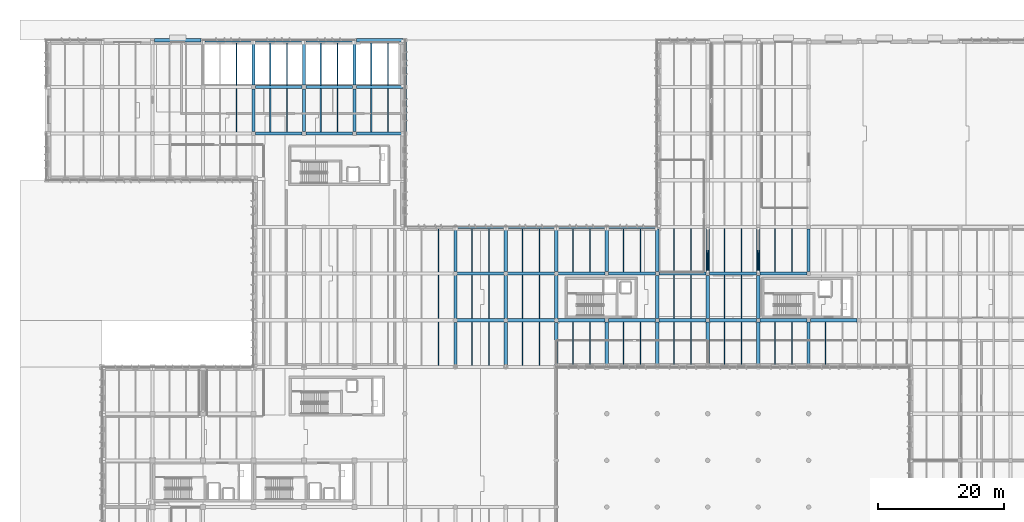
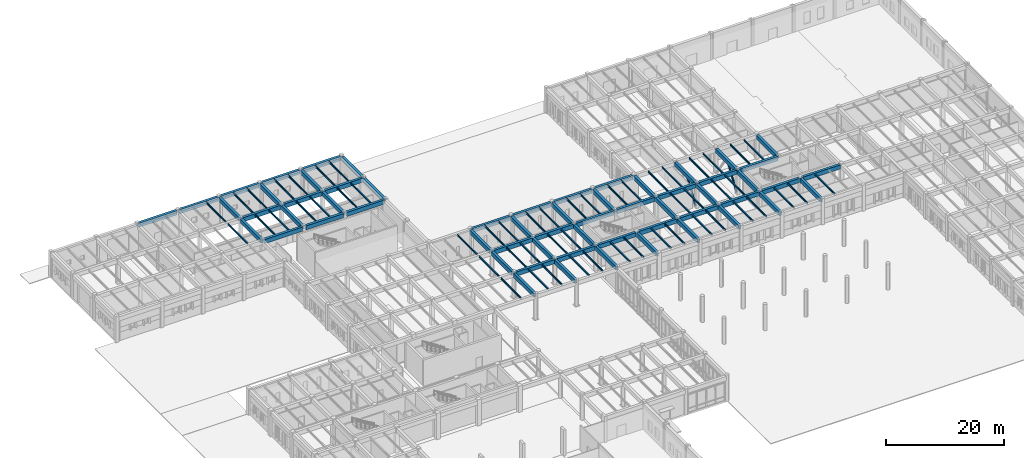
# One storey, part 8 of 56: 114 beams, 2 members.
"""IFC4 building model written with IfcOpenShell, lengths in metres."""

import ifcopenshell
import ifcopenshell.guid

model = None  # the IFC model being written
_history = None  # IfcOwnerHistory: only IFC2X3 demands one
_inside = {}  # id of a spatial element -> (the spatial element, [elements in it])
_under = {}  # id of a project, library or spatial element -> (it, [spatial elements below it])
_declared = {}  # id of a project -> (the project, [libraries it declares])
_typed = {}  # id of a type object -> (the type object, [elements of that type])
_made_of = {}  # id of a material, layer set ... -> (it, [elements and type objects made of it])


def new_model(schema):
    """Start an empty IFC model of exactly this schema.

    Asked for "IFC4X3", IfcOpenShell would pick the latest addendum, in which some entities
    have other attributes; the version numbers below select the first issue.
    IFC2X3 requires an IfcOwnerHistory on every rooted entity: one is made here for all.
    """
    global model, _history
    if schema == "IFC4X3":
        model = ifcopenshell.file(schema_version=(4, 3, 0, 0))
    else:
        model = ifcopenshell.file(schema=schema)
    _inside.clear()
    _under.clear()
    _declared.clear()
    _typed.clear()
    _made_of.clear()
    _history = None
    if model.schema == "IFC2X3":
        org = make("IfcOrganization", Name="unknown")
        user = make(
            "IfcPersonAndOrganization",
            ThePerson=make("IfcPerson", FamilyName="unknown"),
            TheOrganization=org,
        )
        app = make(
            "IfcApplication",
            ApplicationDeveloper=org,
            Version="unknown",
            ApplicationFullName="unknown",
            ApplicationIdentifier="unknown",
        )
        _history = make(
            "IfcOwnerHistory",
            OwningUser=user,
            OwningApplication=app,
            ChangeAction="ADDED",
            CreationDate=0,
        )
    return model


def make(cls, **values):
    """One entity of the class cls with the attributes given. An attribute that is None is left unset."""
    return model.create_entity(
        cls, **{name: value for name, value in values.items() if value is not None}
    )


def rooted(cls, **values):
    """An entity with a GlobalId (a new one), such as an element, a storey or a relation."""
    return make(cls, GlobalId=ifcopenshell.guid.new(), OwnerHistory=_history, **values)


def si_unit(unit_type, name, prefix=None):
    """IfcSIUnit, for example si_unit("LENGTHUNIT", "METRE", prefix="MILLI")."""
    return make("IfcSIUnit", UnitType=unit_type, Prefix=prefix, Name=name)


def assignment(units):
    """IfcUnitAssignment: the units of a project."""
    return None if units is None else make("IfcUnitAssignment", Units=units)


def point(xyz):
    """IfcCartesianPoint."""
    return None if xyz is None else make("IfcCartesianPoint", Coordinates=xyz)


def direction(xyz):
    """IfcDirection."""
    return None if xyz is None else make("IfcDirection", DirectionRatios=xyz)


def frame(location, z_axis=None, x_axis=None):
    """IfcAxis2Placement3D, a coordinate frame: its origin and axes. An axis left out is left unset."""
    return make(
        "IfcAxis2Placement3D",
        Location=point(location),
        Axis=direction(z_axis),
        RefDirection=direction(x_axis),
    )


def frame_2d(location, x_axis=None):
    """IfcAxis2Placement2D, a coordinate frame in the plane: its origin and x axis."""
    return make(
        "IfcAxis2Placement2D", Location=point(location), RefDirection=direction(x_axis)
    )


def origin():
    """The frame at (0, 0, 0) with its axes left unset."""
    return frame((0.0, 0.0, 0.0))


def origin_2d():
    """The frame at (0, 0) in the plane with its x axis left unset."""
    return frame_2d((0.0, 0.0))


def place(relative_to, where):
    """IfcLocalPlacement: puts the frame where relative to a parent placement (None: the world)."""
    return make(
        "IfcLocalPlacement", PlacementRelTo=relative_to, RelativePlacement=where
    )


def context(
    kind, dimensions, precision=None, world=None, true_north=None, identifier=None
):
    """IfcGeometricRepresentationContext, for example the 3D "Model" context."""
    return make(
        "IfcGeometricRepresentationContext",
        ContextIdentifier=identifier,
        ContextType=kind,
        CoordinateSpaceDimension=dimensions,
        Precision=precision,
        WorldCoordinateSystem=world,
        TrueNorth=true_north,
    )


def subcontext(parent, identifier, kind, view, scale=None):
    """IfcGeometricRepresentationSubContext, for example "Body" below "Model"."""
    return make(
        "IfcGeometricRepresentationSubContext",
        ContextIdentifier=identifier,
        ContextType=kind,
        ParentContext=parent,
        TargetScale=scale,
        TargetView=view,
    )


def project(units=None, contexts=None):
    """IfcProject with its units and contexts."""
    return rooted(
        "IfcProject",
        Name="project",
        RepresentationContexts=contexts,
        UnitsInContext=assignment(units),
    )


def spatial(cls, under=None, at=None, **own):
    """A site, building, storey or space (cls), placed at a placement, below another one or the project."""
    s = rooted(cls, ObjectPlacement=at, **own)
    if under is not None:
        _under.setdefault(under.id(), (under, []))[1].append(s)
    return s


def profile(cls, at=None, kind="AREA", **sizes):
    """A parametric profile (cls). Its sizes go by their IFC names, for example OverallWidth=200.0."""
    return make(cls, ProfileType=kind, Position=at, **sizes)


def rectangle(**sizes):
    """IfcRectangleProfileDef."""
    return profile("IfcRectangleProfileDef", **sizes)


def hollow_circle(**sizes):
    """IfcCircleHollowProfileDef."""
    return profile("IfcCircleHollowProfileDef", **sizes)


def i_section(**sizes):
    """IfcIShapeProfileDef."""
    return profile("IfcIShapeProfileDef", **sizes)


def extrude(swept, where, along, depth):
    """IfcExtrudedAreaSolid: the profile swept, set in the frame where, extruded along a direction by depth."""
    return make(
        "IfcExtrudedAreaSolid",
        SweptArea=swept,
        Position=where,
        ExtrudedDirection=direction(along),
        Depth=depth,
    )


def shape(context_of_items, identifier, shape_type, items):
    """IfcShapeRepresentation: the items that make up one representation, for example the "Body"."""
    return make(
        "IfcShapeRepresentation",
        ContextOfItems=context_of_items,
        RepresentationIdentifier=identifier,
        RepresentationType=shape_type,
        Items=items,
    )


def material(Name=None, Category=None):
    """IfcMaterial."""
    return make("IfcMaterial", Name=Name, Category=Category)


def material_profile(
    of_material, cross_section, Name=None, Category=None, Priority=None
):
    """IfcMaterialProfile: a cross section and its material."""
    return make(
        "IfcMaterialProfile",
        Name=Name,
        Material=of_material,
        Profile=cross_section,
        Priority=Priority,
        Category=Category,
    )


def profile_set(profiles, Name=None, composite=None):
    """IfcMaterialProfileSet."""
    return make(
        "IfcMaterialProfileSet",
        Name=Name,
        MaterialProfiles=profiles,
        CompositeProfile=composite,
    )


def made_of(thing, what):
    """Note that an element or type object is made of a material, layer set ...; save() writes the relation."""
    if what is not None:
        _made_of.setdefault(what.id(), (what, []))[1].append(thing)
    return thing


def type_object(cls, material=None, **own):
    """A type object (cls), such as IfcWallType, which elements share."""
    return made_of(rooted(cls, **own), material)


def element(
    cls,
    number,
    at=None,
    inside=None,
    cuts=None,
    type_object=None,
    material=None,
    context=None,
    identifier="Body",
    shape_type=None,
    held_by="IfcProductDefinitionShape",
    body=None,
    shapes=None,
    **own,
):
    """One element of the class cls, such as IfcWall. Its Tag is "e" and its number.

    at: its placement. inside: the storey or other place that contains it. cuts: it is an
    opening in that element (IfcRelVoidsElement). A single representation is given by context,
    identifier, shape_type and body (its items); several are given by shapes. held_by: the class
    of the entity that holds the representations. save() writes the other relations.
    """
    e = rooted(cls, Tag="e%d" % number, ObjectPlacement=at, **own)
    if body is not None:
        shapes = [shape(context, identifier, shape_type, body)]
    if shapes is not None:
        e.Representation = make(held_by, Representations=shapes)
    if inside is not None:
        _inside.setdefault(inside.id(), (inside, []))[1].append(e)
    if cuts is not None:
        rooted(
            "IfcRelVoidsElement", RelatingBuildingElement=cuts, RelatedOpeningElement=e
        )
    if type_object is not None:
        _typed.setdefault(type_object.id(), (type_object, []))[1].append(e)
    return made_of(e, material)


def aggregate(whole, parts):
    """IfcRelAggregates: a whole, such as a stair, and the parts it consists of."""
    return rooted("IfcRelAggregates", RelatingObject=whole, RelatedObjects=parts)


def save(model, path):
    """Write the relations noted so far, then the file.

    IfcRelAggregates (storeys below a building ...), IfcRelContainedInSpatialStructure (elements
    in a storey), IfcRelDefinesByType, IfcRelAssociatesMaterial and IfcRelDeclares: one each for
    every whole, place, type object, material and project.
    """
    for whole, parts in _under.values():
        aggregate(whole, parts)
    for where, things in _inside.values():
        rooted(
            "IfcRelContainedInSpatialStructure",
            RelatedElements=things,
            RelatingStructure=where,
        )
    for kind, things in _typed.values():
        rooted("IfcRelDefinesByType", RelatedObjects=things, RelatingType=kind)
    for what, things in _made_of.values():
        rooted("IfcRelAssociatesMaterial", RelatedObjects=things, RelatingMaterial=what)
    for by, libraries in _declared.values():
        rooted("IfcRelDeclares", RelatingContext=by, RelatedDefinitions=libraries)
    model.write(path)


model = new_model("IFC4")

# Units and contexts
model_context = context("Model", 3, precision=1e-05, world=origin(), true_north=direction((0.0, 1.0)))
body_context = subcontext(model_context, "Body", "Model", "MODEL_VIEW")
ifc_project = project(units=[si_unit("LENGTHUNIT", "METRE"), si_unit("AREAUNIT", "SQUARE_METRE"), si_unit("VOLUMEUNIT", "CUBIC_METRE"), si_unit("PLANEANGLEUNIT", "RADIAN"), si_unit("MASSUNIT", "GRAM", prefix="KILO")], contexts=[model_context])

# Site, building, storey
site_placement = place(None, origin())
site = spatial("IfcSite", under=ifc_project, at=site_placement, CompositionType="ELEMENT")
building_placement = place(site_placement, origin())
building = spatial("IfcBuilding", under=site, at=building_placement, Name="Valkorina Park Police Headquarters", CompositionType="ELEMENT")
storey_placement = place(building_placement, origin())
storey = spatial("IfcBuildingStorey", under=building, at=storey_placement, Name="L01", CompositionType="ELEMENT", Elevation=0.0)

# Beams
ifc_material_1 = material(Name="Concrete C40/50", Category="concrete")
ifc_material_profile_1 = material_profile(ifc_material_1, rectangle(XDim=0.5, YDim=0.85009765625, at=origin_2d()), Name="RC BEAM 500x850")
ifc_profile_set_1 = profile_set([ifc_material_profile_1], Name="Concrete C40/50")
beam_type_1 = type_object("IfcBeamType", Name="BM-RC-500x850-EXT", PredefinedType="SPANDREL", material=ifc_profile_set_1)
for number, where, z_axis, x_axis, name in (
    (1, (65.044921875, 81.39990234375, 4.715087890625), (1.0, 0.0, 0.0), (0.0, 1.0, 0.0), "L01 Framing Beam 0818"),
    (2, (73.044921875, 81.39990234375, 4.715087890625), (1.0, 0.0, 0.0), (0.0, 1.0, 0.0), "L01 Framing Beam 0819"),
):
    element("IfcBeam", number, at=place(storey_placement, frame(where, z_axis=z_axis, x_axis=x_axis)), inside=storey, type_object=beam_type_1, Name=name, PredefinedType="SPANDREL", context=body_context, shape_type="SweptSolid", body=[
        extrude(rectangle(XDim=0.5, YDim=0.85009765625, at=origin_2d()), origin(), (0.0, 0.0, 1.0), 7.51025390625),
    ])
beam_1_placement = place(storey_placement, frame((81.044921875, 81.39990234375, 4.715087890625), z_axis=(1.0, 0.0, 0.0), x_axis=(0.0, 1.0, 0.0)))
element("IfcBeam", 3, at=beam_1_placement, inside=storey, type_object=beam_type_1, Name="L01 Framing Beam 0820", PredefinedType="SPANDREL", context=body_context, shape_type="SweptSolid", body=[
    extrude(rectangle(XDim=0.5, YDim=0.85009765625, at=origin_2d()), origin(), (0.0, 0.0, 1.0), 7.455078125),
])
for number, where, z_axis, x_axis, name in (
    (4, (89.10009765625, 81.39990234375, 4.715087890625), (1.0, 0.0, 0.0), (0.0, 1.0, 0.0), "L01 Framing Beam 0821"),
    (5, (17.10009765625, 111.0, 4.715087890625), (1.0, 0.0, 0.0), (0.0, 1.0, 0.0), "L01 Framing Beam 0859"),
    (6, (25.10009765625, 111.0, 4.715087890625), (1.0, 0.0, 0.0), (0.0, 1.0, 0.0), "L01 Framing Beam 0860"),
    (7, (33.10009765625, 111.0, 4.715087890625), (1.0, 0.0, 0.0), (0.0, 1.0, 0.0), "L01 Framing Beam 0861"),
    (8, (41.10009765625, 111.0, 4.715087890625), (1.0, 0.0, 0.0), (0.0, 1.0, 0.0), "L01 Framing Beam 0862"),
    (9, (49.10009765625, 111.0, 4.715087890625), (1.0, 0.0, 0.0), (0.0, 1.0, 0.0), "L01 Framing Beam 0863"),
):
    element("IfcBeam", number, at=place(storey_placement, frame(where, z_axis=z_axis, x_axis=x_axis)), inside=storey, type_object=beam_type_1, Name=name, PredefinedType="SPANDREL", context=body_context, shape_type="SweptSolid", body=[
        extrude(rectangle(XDim=0.5, YDim=0.85009765625, at=origin_2d()), origin(), (0.0, 0.0, 1.0), 7.39990234375),
    ])
for number, where, z_axis, x_axis, name in (
    (10, (56.800048828125, 96.5, 4.715087890625), (0.0, 1.0, 0.0), (-1.0, 0.0, 0.0), "L01 Framing Beam 1042"),
    (11, (56.800048828125, 103.89990234375, 4.715087890625), (0.0, 1.0, 0.0), (-1.0, 0.0, 0.0), "L01 Framing Beam 1043"),
):
    element("IfcBeam", number, at=place(storey_placement, frame(where, z_axis=z_axis, x_axis=x_axis)), inside=storey, type_object=beam_type_1, Name=name, PredefinedType="SPANDREL", context=body_context, shape_type="SweptSolid", body=[
        extrude(rectangle(XDim=0.5, YDim=0.85009765625, at=origin_2d()), origin(), (0.0, 0.0, 1.0), 6.800048828125),
    ])
ifc_material_profile_2 = material_profile(ifc_material_1, rectangle(XDim=0.5, YDim=0.85009765625, at=origin_2d()), Name="RC BEAM 500x850")
ifc_profile_set_2 = profile_set([ifc_material_profile_2], Name="Concrete C40/50")
beam_type_2 = type_object("IfcBeamType", Name="BM-RC-500x850-INT", PredefinedType="BEAM", material=ifc_profile_set_2)
for number, where, z_axis, x_axis, name in (
    (12, (65.044921875, 66.60009765625, 4.715087890625), (1.0, 0.0, 0.0), (0.0, 1.0, 0.0), "L01 Framing Beam 0786"),
    (13, (73.044921875, 66.60009765625, 4.715087890625), (1.0, 0.0, 0.0), (0.0, 1.0, 0.0), "L01 Framing Beam 0787"),
):
    element("IfcBeam", number, at=place(storey_placement, frame(where, z_axis=z_axis, x_axis=x_axis)), inside=storey, type_object=beam_type_2, Name=name, PredefinedType="BEAM", context=body_context, shape_type="SweptSolid", body=[
        extrude(rectangle(XDim=0.5, YDim=0.85009765625, at=origin_2d()), origin(), (0.0, 0.0, 1.0), 7.51025390625),
    ])
beam_2_placement = place(storey_placement, frame((81.044921875, 66.60009765625, 4.715087890625), z_axis=(1.0, 0.0, 0.0), x_axis=(0.0, 1.0, 0.0)))
element("IfcBeam", 14, at=beam_2_placement, inside=storey, type_object=beam_type_2, Name="L01 Framing Beam 0788", PredefinedType="BEAM", context=body_context, shape_type="SweptSolid", body=[
    extrude(rectangle(XDim=0.5, YDim=0.85009765625, at=origin_2d()), origin(), (0.0, 0.0, 1.0), 7.455078125),
])
for number, where, z_axis, x_axis, name in (
    (15, (89.10009765625, 66.60009765625, 4.715087890625), (1.0, 0.0, 0.0), (0.0, 1.0, 0.0), "L01 Framing Beam 0789"),
    (16, (97.10009765625, 66.60009765625, 4.715087890625), (1.0, 0.0, 0.0), (0.0, 1.0, 0.0), "L01 Framing Beam 0790"),
    (17, (105.10009765625, 66.60009765625, 4.715087890625), (1.0, 0.0, 0.0), (0.0, 1.0, 0.0), "L01 Framing Beam 0791"),
    (18, (113.10009765625, 66.60009765625, 4.715087890625), (1.0, 0.0, 0.0), (0.0, 1.0, 0.0), "L01 Framing Beam 0792"),
    (19, (121.10009765625, 66.60009765625, 4.715087890625), (1.0, 0.0, 0.0), (0.0, 1.0, 0.0), "L01 Framing Beam 0793"),
):
    element("IfcBeam", number, at=place(storey_placement, frame(where, z_axis=z_axis, x_axis=x_axis)), inside=storey, type_object=beam_type_2, Name=name, PredefinedType="BEAM", context=body_context, shape_type="SweptSolid", body=[
        extrude(rectangle(XDim=0.5, YDim=0.85009765625, at=origin_2d()), origin(), (0.0, 0.0, 1.0), 7.39990234375),
    ])
for number, where, z_axis, x_axis, name in (
    (20, (65.044921875, 74.0, 4.715087890625), (1.0, 0.0, 0.0), (0.0, 1.0, 0.0), "L01 Framing Beam 0802"),
    (21, (73.044921875, 74.0, 4.715087890625), (1.0, 0.0, 0.0), (0.0, 1.0, 0.0), "L01 Framing Beam 0803"),
):
    element("IfcBeam", number, at=place(storey_placement, frame(where, z_axis=z_axis, x_axis=x_axis)), inside=storey, type_object=beam_type_2, Name=name, PredefinedType="BEAM", context=body_context, shape_type="SweptSolid", body=[
        extrude(rectangle(XDim=0.5, YDim=0.85009765625, at=origin_2d()), origin(), (0.0, 0.0, 1.0), 7.51025390625),
    ])
beam_3_placement = place(storey_placement, frame((81.044921875, 74.0, 4.715087890625), z_axis=(1.0, 0.0, 0.0), x_axis=(0.0, 1.0, 0.0)))
element("IfcBeam", 22, at=beam_3_placement, inside=storey, type_object=beam_type_2, Name="L01 Framing Beam 0804", PredefinedType="BEAM", context=body_context, shape_type="SweptSolid", body=[
    extrude(rectangle(XDim=0.5, YDim=0.85009765625, at=origin_2d()), origin(), (0.0, 0.0, 1.0), 7.455078125),
])
for number, where, z_axis, x_axis, name in (
    (23, (89.10009765625, 74.0, 4.715087890625), (1.0, 0.0, 0.0), (0.0, 1.0, 0.0), "L01 Framing Beam 0805"),
    (24, (97.10009765625, 74.0, 4.715087890625), (1.0, 0.0, 0.0), (0.0, 1.0, 0.0), "L01 Framing Beam 0806"),
    (25, (105.10009765625, 74.0, 4.715087890625), (1.0, 0.0, 0.0), (0.0, 1.0, 0.0), "L01 Framing Beam 0807"),
    (26, (113.10009765625, 74.0, 4.715087890625), (1.0, 0.0, 0.0), (0.0, 1.0, 0.0), "L01 Framing Beam 0808"),
    (27, (33.10009765625, 96.199951171875, 4.715087890625), (1.0, 0.0, 0.0), (0.0, 1.0, 0.0), "L01 Framing Beam 0841"),
    (28, (41.10009765625, 96.199951171875, 4.715087890625), (1.0, 0.0, 0.0), (0.0, 1.0, 0.0), "L01 Framing Beam 0842"),
    (29, (49.10009765625, 96.199951171875, 4.715087890625), (1.0, 0.0, 0.0), (0.0, 1.0, 0.0), "L01 Framing Beam 0843"),
    (30, (33.10009765625, 103.60009765625, 4.715087890625), (1.0, 0.0, 0.0), (0.0, 1.0, 0.0), "L01 Framing Beam 0851"),
    (31, (41.10009765625, 103.60009765625, 4.715087890625), (1.0, 0.0, 0.0), (0.0, 1.0, 0.0), "L01 Framing Beam 0852"),
    (32, (49.10009765625, 103.60009765625, 4.715087890625), (1.0, 0.0, 0.0), (0.0, 1.0, 0.0), "L01 Framing Beam 0853"),
):
    element("IfcBeam", number, at=place(storey_placement, frame(where, z_axis=z_axis, x_axis=x_axis)), inside=storey, type_object=beam_type_2, Name=name, PredefinedType="BEAM", context=body_context, shape_type="SweptSolid", body=[
        extrude(rectangle(XDim=0.5, YDim=0.85009765625, at=origin_2d()), origin(), (0.0, 0.0, 1.0), 7.39990234375),
    ])
for number, where, z_axis, x_axis, name in (
    (33, (32.800048828125, 96.5, 4.715087890625), (0.0, 1.0, 0.0), (-1.0, 0.0, 0.0), "L01 Framing Beam 0983"),
    (34, (32.800048828125, 103.89990234375, 4.715087890625), (0.0, 1.0, 0.0), (-1.0, 0.0, 0.0), "L01 Framing Beam 0986"),
    (35, (40.800048828125, 96.5, 4.715087890625), (0.0, 1.0, 0.0), (-1.0, 0.0, 0.0), "L01 Framing Beam 0998"),
    (36, (40.800048828125, 103.89990234375, 4.715087890625), (0.0, 1.0, 0.0), (-1.0, 0.0, 0.0), "L01 Framing Beam 1001"),
    (37, (48.800048828125, 96.5, 4.715087890625), (0.0, 1.0, 0.0), (-1.0, 0.0, 0.0), "L01 Framing Beam 1016"),
    (38, (48.800048828125, 103.89990234375, 4.715087890625), (0.0, 1.0, 0.0), (-1.0, 0.0, 0.0), "L01 Framing Beam 1019"),
):
    element("IfcBeam", number, at=place(storey_placement, frame(where, z_axis=z_axis, x_axis=x_axis)), inside=storey, type_object=beam_type_2, Name=name, PredefinedType="BEAM", context=body_context, shape_type="SweptSolid", body=[
        extrude(rectangle(XDim=0.5, YDim=0.85009765625, at=origin_2d()), origin(), (0.0, 0.0, 1.0), 6.800048828125),
    ])
for number, where, z_axis, x_axis, name in (
    (39, (64.800048828125, 59.51611328125, 4.715087890625), (0.0, 1.0, 0.0), (-1.0, 0.0, 0.0), "L01 Framing Beam 1050"),
    (40, (64.800048828125, 66.916259765625, 4.715087890625), (0.0, 1.0, 0.0), (-1.0, 0.0, 0.0), "L01 Framing Beam 1053"),
    (41, (64.800048828125, 74.316162109375, 4.715087890625), (0.0, 1.0, 0.0), (-1.0, 0.0, 0.0), "L01 Framing Beam 1056"),
    (42, (72.800048828125, 59.51611328125, 4.715087890625), (0.0, 1.0, 0.0), (-1.0, 0.0, 0.0), "L01 Framing Beam 1065"),
    (43, (72.800048828125, 66.916259765625, 4.715087890625), (0.0, 1.0, 0.0), (-1.0, 0.0, 0.0), "L01 Framing Beam 1068"),
    (44, (72.800048828125, 74.316162109375, 4.715087890625), (0.0, 1.0, 0.0), (-1.0, 0.0, 0.0), "L01 Framing Beam 1071"),
    (45, (80.800048828125, 59.51611328125, 4.715087890625), (0.0, 1.0, 0.0), (-1.0, 0.0, 0.0), "L01 Framing Beam 1079"),
    (46, (80.800048828125, 66.916259765625, 4.715087890625), (0.0, 1.0, 0.0), (-1.0, 0.0, 0.0), "L01 Framing Beam 1082"),
    (47, (80.800048828125, 74.316162109375, 4.715087890625), (0.0, 1.0, 0.0), (-1.0, 0.0, 0.0), "L01 Framing Beam 1083"),
):
    element("IfcBeam", number, at=place(storey_placement, frame(where, z_axis=z_axis, x_axis=x_axis)), inside=storey, type_object=beam_type_2, Name=name, PredefinedType="BEAM", context=body_context, shape_type="SweptSolid", body=[
        extrude(rectangle(XDim=0.5, YDim=0.85009765625, at=origin_2d()), origin(), (0.0, 0.0, 1.0), 6.767578125),
    ])
beam_4_placement = place(storey_placement, frame((88.800048828125, 59.574951171875, 4.715087890625), z_axis=(0.0, 1.0, 0.0), x_axis=(-1.0, 0.0, 0.0)))
element("IfcBeam", 48, at=beam_4_placement, inside=storey, type_object=beam_type_2, Name="L01 Framing Beam 1086", PredefinedType="BEAM", context=body_context, shape_type="SweptSolid", body=[
    extrude(rectangle(XDim=0.5, YDim=0.85009765625, at=origin_2d()), origin(), (0.0, 0.0, 1.0), 6.72509765625),
])
for number, where, z_axis, x_axis, name in (
    (49, (88.800048828125, 74.300048828125, 4.715087890625), (0.0, 1.0, 0.0), (-1.0, 0.0, 0.0), "L01 Framing Beam 1089"),
    (50, (96.800048828125, 59.5, 4.715087890625), (0.0, 1.0, 0.0), (-1.0, 0.0, 0.0), "L01 Framing Beam 1092"),
    (51, (96.800048828125, 66.89990234375, 4.715087890625), (0.0, 1.0, 0.0), (-1.0, 0.0, 0.0), "L01 Framing Beam 1095"),
    (52, (96.800048828125, 74.300048828125, 4.715087890625), (0.0, 1.0, 0.0), (-1.0, 0.0, 0.0), "L01 Framing Beam 1098"),
    (53, (104.800048828125, 59.5, 4.715087890625), (0.0, 1.0, 0.0), (-1.0, 0.0, 0.0), "L01 Framing Beam 1113"),
    (54, (104.800048828125, 66.89990234375, 4.715087890625), (0.0, 1.0, 0.0), (-1.0, 0.0, 0.0), "L01 Framing Beam 1116"),
    (55, (104.800048828125, 74.300048828125, 4.715087890625), (0.0, 1.0, 0.0), (-1.0, 0.0, 0.0), "L01 Framing Beam 1119"),
    (56, (112.800048828125, 59.5, 4.715087890625), (0.0, 1.0, 0.0), (-1.0, 0.0, 0.0), "L01 Framing Beam 1134"),
    (57, (112.800048828125, 66.89990234375, 4.715087890625), (0.0, 1.0, 0.0), (-1.0, 0.0, 0.0), "L01 Framing Beam 1137"),
    (58, (112.800048828125, 74.300048828125, 4.715087890625), (0.0, 1.0, 0.0), (-1.0, 0.0, 0.0), "L01 Framing Beam 1138"),
    (59, (120.800048828125, 59.5, 4.715087890625), (0.0, 1.0, 0.0), (-1.0, 0.0, 0.0), "L01 Framing Beam 1153"),
    (60, (120.800048828125, 74.300048828125, 4.715087890625), (0.0, 1.0, 0.0), (-1.0, 0.0, 0.0), "L01 Framing Beam 1156"),
):
    element("IfcBeam", number, at=place(storey_placement, frame(where, z_axis=z_axis, x_axis=x_axis)), inside=storey, type_object=beam_type_2, Name=name, PredefinedType="BEAM", context=body_context, shape_type="SweptSolid", body=[
        extrude(rectangle(XDim=0.5, YDim=0.85009765625, at=origin_2d()), origin(), (0.0, 0.0, 1.0), 6.800048828125),
    ])
ifc_material_2 = material(Name="Steel S355", Category="steel")
ifc_material_profile_3 = material_profile(ifc_material_2, i_section(OverallWidth=0.169921875, OverallDepth=0.360107421875, WebThickness=0.008056640625, FlangeThickness=0.0126953125, FilletRadius=0.01806640625, at=origin_2d()), Name="IPE 360")
ifc_profile_set_3 = profile_set([ifc_material_profile_3], Name="Steel S355")
beam_type_3 = type_object("IfcBeamType", Name="BM-S355-IPE360-JST", PredefinedType="JOIST", material=ifc_profile_set_3)
beam_5_placement = place(storey_placement, frame((30.13330078125, 96.449951171875, 4.9599609375), z_axis=(0.0, 1.0, 0.0), x_axis=(-1.0, 0.0, 0.0)))
element("IfcBeam", 61, at=beam_5_placement, inside=storey, type_object=beam_type_3, Name="L01 Framing Beam 0965", PredefinedType="JOIST", context=body_context, shape_type="SweptSolid", body=[
    extrude(i_section(OverallWidth=0.169921875, OverallDepth=0.360107421875, WebThickness=0.008056640625, FlangeThickness=0.0126953125, FilletRadius=0.01806640625, at=origin_2d()), origin(), (0.0, 0.0, 1.0), 6.900146484375),
])
beam_6_placement = place(storey_placement, frame((30.13330078125, 103.85009765625, 4.9599609375), z_axis=(0.0, 1.0, 0.0), x_axis=(-1.0, 0.0, 0.0)))
element("IfcBeam", 62, at=beam_6_placement, inside=storey, type_object=beam_type_3, Name="L01 Framing Beam 0968", PredefinedType="JOIST", context=body_context, shape_type="SweptSolid", body=[
    extrude(i_section(OverallWidth=0.169921875, OverallDepth=0.360107421875, WebThickness=0.008056640625, FlangeThickness=0.0126953125, FilletRadius=0.01806640625, at=origin_2d()), origin(), (0.0, 0.0, 1.0), 6.89990234375),
])
for number, where, z_axis, x_axis, name in (
    (63, (35.466796875, 96.449951171875, 4.9599609375), (0.0, 1.0, 0.0), (-1.0, 0.0, 0.0), "L01 Framing Beam 0984"),
    (64, (38.13330078125, 96.449951171875, 4.9599609375), (0.0, 1.0, 0.0), (-1.0, 0.0, 0.0), "L01 Framing Beam 0985"),
):
    element("IfcBeam", number, at=place(storey_placement, frame(where, z_axis=z_axis, x_axis=x_axis)), inside=storey, type_object=beam_type_3, Name=name, PredefinedType="JOIST", context=body_context, shape_type="SweptSolid", body=[
        extrude(i_section(OverallWidth=0.169921875, OverallDepth=0.360107421875, WebThickness=0.008056640625, FlangeThickness=0.0126953125, FilletRadius=0.01806640625, at=origin_2d()), origin(), (0.0, 0.0, 1.0), 6.900146484375),
    ])
for number, where, z_axis, x_axis, name in (
    (65, (35.466796875, 103.85009765625, 4.9599609375), (0.0, 1.0, 0.0), (-1.0, 0.0, 0.0), "L01 Framing Beam 0987"),
    (66, (38.13330078125, 103.85009765625, 4.9599609375), (0.0, 1.0, 0.0), (-1.0, 0.0, 0.0), "L01 Framing Beam 0988"),
):
    element("IfcBeam", number, at=place(storey_placement, frame(where, z_axis=z_axis, x_axis=x_axis)), inside=storey, type_object=beam_type_3, Name=name, PredefinedType="JOIST", context=body_context, shape_type="SweptSolid", body=[
        extrude(i_section(OverallWidth=0.169921875, OverallDepth=0.360107421875, WebThickness=0.008056640625, FlangeThickness=0.0126953125, FilletRadius=0.01806640625, at=origin_2d()), origin(), (0.0, 0.0, 1.0), 6.89990234375),
    ])
for number, where, z_axis, x_axis, name in (
    (67, (43.466796875, 96.449951171875, 4.9599609375), (0.0, 1.0, 0.0), (-1.0, 0.0, 0.0), "L01 Framing Beam 0999"),
    (68, (46.13330078125, 96.449951171875, 4.9599609375), (0.0, 1.0, 0.0), (-1.0, 0.0, 0.0), "L01 Framing Beam 1000"),
):
    element("IfcBeam", number, at=place(storey_placement, frame(where, z_axis=z_axis, x_axis=x_axis)), inside=storey, type_object=beam_type_3, Name=name, PredefinedType="JOIST", context=body_context, shape_type="SweptSolid", body=[
        extrude(i_section(OverallWidth=0.169921875, OverallDepth=0.360107421875, WebThickness=0.008056640625, FlangeThickness=0.0126953125, FilletRadius=0.01806640625, at=origin_2d()), origin(), (0.0, 0.0, 1.0), 6.900146484375),
    ])
for number, where, z_axis, x_axis, name in (
    (69, (43.466796875, 103.85009765625, 4.9599609375), (0.0, 1.0, 0.0), (-1.0, 0.0, 0.0), "L01 Framing Beam 1002"),
    (70, (46.13330078125, 103.85009765625, 4.9599609375), (0.0, 1.0, 0.0), (-1.0, 0.0, 0.0), "L01 Framing Beam 1003"),
):
    element("IfcBeam", number, at=place(storey_placement, frame(where, z_axis=z_axis, x_axis=x_axis)), inside=storey, type_object=beam_type_3, Name=name, PredefinedType="JOIST", context=body_context, shape_type="SweptSolid", body=[
        extrude(i_section(OverallWidth=0.169921875, OverallDepth=0.360107421875, WebThickness=0.008056640625, FlangeThickness=0.0126953125, FilletRadius=0.01806640625, at=origin_2d()), origin(), (0.0, 0.0, 1.0), 6.89990234375),
    ])
for number, where, z_axis, x_axis, name in (
    (71, (51.466796875, 96.449951171875, 4.9599609375), (0.0, 1.0, 0.0), (-1.0, 0.0, 0.0), "L01 Framing Beam 1017"),
    (72, (54.13330078125, 96.449951171875, 4.9599609375), (0.0, 1.0, 0.0), (-1.0, 0.0, 0.0), "L01 Framing Beam 1018"),
):
    element("IfcBeam", number, at=place(storey_placement, frame(where, z_axis=z_axis, x_axis=x_axis)), inside=storey, type_object=beam_type_3, Name=name, PredefinedType="JOIST", context=body_context, shape_type="SweptSolid", body=[
        extrude(i_section(OverallWidth=0.169921875, OverallDepth=0.360107421875, WebThickness=0.008056640625, FlangeThickness=0.0126953125, FilletRadius=0.01806640625, at=origin_2d()), origin(), (0.0, 0.0, 1.0), 6.900146484375),
    ])
for number, where, z_axis, x_axis, name in (
    (73, (51.466796875, 103.85009765625, 4.9599609375), (0.0, 1.0, 0.0), (-1.0, 0.0, 0.0), "L01 Framing Beam 1020"),
    (74, (54.13330078125, 103.85009765625, 4.9599609375), (0.0, 1.0, 0.0), (-1.0, 0.0, 0.0), "L01 Framing Beam 1021"),
):
    element("IfcBeam", number, at=place(storey_placement, frame(where, z_axis=z_axis, x_axis=x_axis)), inside=storey, type_object=beam_type_3, Name=name, PredefinedType="JOIST", context=body_context, shape_type="SweptSolid", body=[
        extrude(i_section(OverallWidth=0.169921875, OverallDepth=0.360107421875, WebThickness=0.008056640625, FlangeThickness=0.0126953125, FilletRadius=0.01806640625, at=origin_2d()), origin(), (0.0, 0.0, 1.0), 6.89990234375),
    ])
beam_7_placement = place(storey_placement, frame((62.13330078125, 59.449951171875, 4.9599609375), z_axis=(0.0, 1.0, 0.0), x_axis=(-1.0, 0.0, 0.0)))
element("IfcBeam", 75, at=beam_7_placement, inside=storey, type_object=beam_type_3, Name="L01 Framing Beam 1033", PredefinedType="JOIST", context=body_context, shape_type="SweptSolid", body=[
    extrude(i_section(OverallWidth=0.169921875, OverallDepth=0.360107421875, WebThickness=0.008056640625, FlangeThickness=0.0126953125, FilletRadius=0.01806640625, at=origin_2d()), origin(), (0.0, 0.0, 1.0), 6.900146484375),
])
for number, where, z_axis, x_axis, name in (
    (76, (62.13330078125, 66.85009765625, 4.9599609375), (0.0, 1.0, 0.0), (-1.0, 0.0, 0.0), "L01 Framing Beam 1036"),
    (77, (62.13330078125, 74.25, 4.9599609375), (0.0, 1.0, 0.0), (-1.0, 0.0, 0.0), "L01 Framing Beam 1039"),
):
    element("IfcBeam", number, at=place(storey_placement, frame(where, z_axis=z_axis, x_axis=x_axis)), inside=storey, type_object=beam_type_3, Name=name, PredefinedType="JOIST", context=body_context, shape_type="SweptSolid", body=[
        extrude(i_section(OverallWidth=0.169921875, OverallDepth=0.360107421875, WebThickness=0.008056640625, FlangeThickness=0.0126953125, FilletRadius=0.01806640625, at=origin_2d()), origin(), (0.0, 0.0, 1.0), 6.89990234375),
    ])
for number, where, z_axis, x_axis, name in (
    (78, (67.466796875, 59.449951171875, 4.9599609375), (0.0, 1.0, 0.0), (-1.0, 0.0, 0.0), "L01 Framing Beam 1051"),
    (79, (70.13330078125, 59.449951171875, 4.9599609375), (0.0, 1.0, 0.0), (-1.0, 0.0, 0.0), "L01 Framing Beam 1052"),
):
    element("IfcBeam", number, at=place(storey_placement, frame(where, z_axis=z_axis, x_axis=x_axis)), inside=storey, type_object=beam_type_3, Name=name, PredefinedType="JOIST", context=body_context, shape_type="SweptSolid", body=[
        extrude(i_section(OverallWidth=0.169921875, OverallDepth=0.360107421875, WebThickness=0.008056640625, FlangeThickness=0.0126953125, FilletRadius=0.01806640625, at=origin_2d()), origin(), (0.0, 0.0, 1.0), 6.900146484375),
    ])
for number, where, z_axis, x_axis, name in (
    (80, (67.466796875, 66.85009765625, 4.9599609375), (0.0, 1.0, 0.0), (-1.0, 0.0, 0.0), "L01 Framing Beam 1054"),
    (81, (70.13330078125, 66.85009765625, 4.9599609375), (0.0, 1.0, 0.0), (-1.0, 0.0, 0.0), "L01 Framing Beam 1055"),
    (82, (67.466796875, 74.25, 4.9599609375), (0.0, 1.0, 0.0), (-1.0, 0.0, 0.0), "L01 Framing Beam 1057"),
    (83, (70.13330078125, 74.25, 4.9599609375), (0.0, 1.0, 0.0), (-1.0, 0.0, 0.0), "L01 Framing Beam 1058"),
):
    element("IfcBeam", number, at=place(storey_placement, frame(where, z_axis=z_axis, x_axis=x_axis)), inside=storey, type_object=beam_type_3, Name=name, PredefinedType="JOIST", context=body_context, shape_type="SweptSolid", body=[
        extrude(i_section(OverallWidth=0.169921875, OverallDepth=0.360107421875, WebThickness=0.008056640625, FlangeThickness=0.0126953125, FilletRadius=0.01806640625, at=origin_2d()), origin(), (0.0, 0.0, 1.0), 6.89990234375),
    ])
for number, where, z_axis, x_axis, name in (
    (84, (75.466796875, 59.449951171875, 4.9599609375), (0.0, 1.0, 0.0), (-1.0, 0.0, 0.0), "L01 Framing Beam 1066"),
    (85, (78.13330078125, 59.449951171875, 4.9599609375), (0.0, 1.0, 0.0), (-1.0, 0.0, 0.0), "L01 Framing Beam 1067"),
):
    element("IfcBeam", number, at=place(storey_placement, frame(where, z_axis=z_axis, x_axis=x_axis)), inside=storey, type_object=beam_type_3, Name=name, PredefinedType="JOIST", context=body_context, shape_type="SweptSolid", body=[
        extrude(i_section(OverallWidth=0.169921875, OverallDepth=0.360107421875, WebThickness=0.008056640625, FlangeThickness=0.0126953125, FilletRadius=0.01806640625, at=origin_2d()), origin(), (0.0, 0.0, 1.0), 6.900146484375),
    ])
for number, where, z_axis, x_axis, name in (
    (86, (75.466796875, 66.85009765625, 4.9599609375), (0.0, 1.0, 0.0), (-1.0, 0.0, 0.0), "L01 Framing Beam 1069"),
    (87, (78.13330078125, 66.85009765625, 4.9599609375), (0.0, 1.0, 0.0), (-1.0, 0.0, 0.0), "L01 Framing Beam 1070"),
    (88, (75.466796875, 74.25, 4.9599609375), (0.0, 1.0, 0.0), (-1.0, 0.0, 0.0), "L01 Framing Beam 1072"),
    (89, (78.13330078125, 74.25, 4.9599609375), (0.0, 1.0, 0.0), (-1.0, 0.0, 0.0), "L01 Framing Beam 1073"),
):
    element("IfcBeam", number, at=place(storey_placement, frame(where, z_axis=z_axis, x_axis=x_axis)), inside=storey, type_object=beam_type_3, Name=name, PredefinedType="JOIST", context=body_context, shape_type="SweptSolid", body=[
        extrude(i_section(OverallWidth=0.169921875, OverallDepth=0.360107421875, WebThickness=0.008056640625, FlangeThickness=0.0126953125, FilletRadius=0.01806640625, at=origin_2d()), origin(), (0.0, 0.0, 1.0), 6.89990234375),
    ])
for number, where, z_axis, x_axis, name in (
    (90, (83.466796875, 59.449951171875, 4.9599609375), (0.0, 1.0, 0.0), (-1.0, 0.0, 0.0), "L01 Framing Beam 1080"),
    (91, (86.13330078125, 59.449951171875, 4.9599609375), (0.0, 1.0, 0.0), (-1.0, 0.0, 0.0), "L01 Framing Beam 1081"),
):
    element("IfcBeam", number, at=place(storey_placement, frame(where, z_axis=z_axis, x_axis=x_axis)), inside=storey, type_object=beam_type_3, Name=name, PredefinedType="JOIST", context=body_context, shape_type="SweptSolid", body=[
        extrude(i_section(OverallWidth=0.169921875, OverallDepth=0.360107421875, WebThickness=0.008056640625, FlangeThickness=0.0126953125, FilletRadius=0.01806640625, at=origin_2d()), origin(), (0.0, 0.0, 1.0), 6.900146484375),
    ])
for number, where, z_axis, x_axis, name in (
    (92, (83.466796875, 74.25, 4.9599609375), (0.0, 1.0, 0.0), (-1.0, 0.0, 0.0), "L01 Framing Beam 1084"),
    (93, (86.13330078125, 74.25, 4.9599609375), (0.0, 1.0, 0.0), (-1.0, 0.0, 0.0), "L01 Framing Beam 1085"),
):
    element("IfcBeam", number, at=place(storey_placement, frame(where, z_axis=z_axis, x_axis=x_axis)), inside=storey, type_object=beam_type_3, Name=name, PredefinedType="JOIST", context=body_context, shape_type="SweptSolid", body=[
        extrude(i_section(OverallWidth=0.169921875, OverallDepth=0.360107421875, WebThickness=0.008056640625, FlangeThickness=0.0126953125, FilletRadius=0.01806640625, at=origin_2d()), origin(), (0.0, 0.0, 1.0), 6.89990234375),
    ])
for number, where, z_axis, x_axis, name in (
    (94, (91.466796875, 59.449951171875, 4.9599609375), (0.0, 1.0, 0.0), (-1.0, 0.0, 0.0), "L01 Framing Beam 1087"),
    (95, (94.13330078125, 59.449951171875, 4.9599609375), (0.0, 1.0, 0.0), (-1.0, 0.0, 0.0), "L01 Framing Beam 1088"),
):
    element("IfcBeam", number, at=place(storey_placement, frame(where, z_axis=z_axis, x_axis=x_axis)), inside=storey, type_object=beam_type_3, Name=name, PredefinedType="JOIST", context=body_context, shape_type="SweptSolid", body=[
        extrude(i_section(OverallWidth=0.169921875, OverallDepth=0.360107421875, WebThickness=0.008056640625, FlangeThickness=0.0126953125, FilletRadius=0.01806640625, at=origin_2d()), origin(), (0.0, 0.0, 1.0), 6.900146484375),
    ])
for number, where, z_axis, x_axis, name in (
    (96, (91.466796875, 74.25, 4.9599609375), (0.0, 1.0, 0.0), (-1.0, 0.0, 0.0), "L01 Framing Beam 1090"),
    (97, (94.13330078125, 74.25, 4.9599609375), (0.0, 1.0, 0.0), (-1.0, 0.0, 0.0), "L01 Framing Beam 1091"),
):
    element("IfcBeam", number, at=place(storey_placement, frame(where, z_axis=z_axis, x_axis=x_axis)), inside=storey, type_object=beam_type_3, Name=name, PredefinedType="JOIST", context=body_context, shape_type="SweptSolid", body=[
        extrude(i_section(OverallWidth=0.169921875, OverallDepth=0.360107421875, WebThickness=0.008056640625, FlangeThickness=0.0126953125, FilletRadius=0.01806640625, at=origin_2d()), origin(), (0.0, 0.0, 1.0), 6.89990234375),
    ])
for number, where, z_axis, x_axis, name in (
    (98, (99.466796875, 59.449951171875, 4.9599609375), (0.0, 1.0, 0.0), (-1.0, 0.0, 0.0), "L01 Framing Beam 1093"),
    (99, (102.13330078125, 59.449951171875, 4.9599609375), (0.0, 1.0, 0.0), (-1.0, 0.0, 0.0), "L01 Framing Beam 1094"),
):
    element("IfcBeam", number, at=place(storey_placement, frame(where, z_axis=z_axis, x_axis=x_axis)), inside=storey, type_object=beam_type_3, Name=name, PredefinedType="JOIST", context=body_context, shape_type="SweptSolid", body=[
        extrude(i_section(OverallWidth=0.169921875, OverallDepth=0.360107421875, WebThickness=0.008056640625, FlangeThickness=0.0126953125, FilletRadius=0.01806640625, at=origin_2d()), origin(), (0.0, 0.0, 1.0), 6.900146484375),
    ])
for number, where, z_axis, x_axis, name in (
    (100, (99.466796875, 66.85009765625, 4.9599609375), (0.0, 1.0, 0.0), (-1.0, 0.0, 0.0), "L01 Framing Beam 1096"),
    (101, (102.13330078125, 66.85009765625, 4.9599609375), (0.0, 1.0, 0.0), (-1.0, 0.0, 0.0), "L01 Framing Beam 1097"),
    (102, (99.466796875, 74.25, 4.9599609375), (0.0, 1.0, 0.0), (-1.0, 0.0, 0.0), "L01 Framing Beam 1099"),
    (103, (102.13330078125, 74.25, 4.9599609375), (0.0, 1.0, 0.0), (-1.0, 0.0, 0.0), "L01 Framing Beam 1100"),
):
    element("IfcBeam", number, at=place(storey_placement, frame(where, z_axis=z_axis, x_axis=x_axis)), inside=storey, type_object=beam_type_3, Name=name, PredefinedType="JOIST", context=body_context, shape_type="SweptSolid", body=[
        extrude(i_section(OverallWidth=0.169921875, OverallDepth=0.360107421875, WebThickness=0.008056640625, FlangeThickness=0.0126953125, FilletRadius=0.01806640625, at=origin_2d()), origin(), (0.0, 0.0, 1.0), 6.89990234375),
    ])
for number, where, z_axis, x_axis, name in (
    (104, (107.466796875, 59.449951171875, 4.9599609375), (0.0, 1.0, 0.0), (-1.0, 0.0, 0.0), "L01 Framing Beam 1114"),
    (105, (110.13330078125, 59.449951171875, 4.9599609375), (0.0, 1.0, 0.0), (-1.0, 0.0, 0.0), "L01 Framing Beam 1115"),
):
    element("IfcBeam", number, at=place(storey_placement, frame(where, z_axis=z_axis, x_axis=x_axis)), inside=storey, type_object=beam_type_3, Name=name, PredefinedType="JOIST", context=body_context, shape_type="SweptSolid", body=[
        extrude(i_section(OverallWidth=0.169921875, OverallDepth=0.360107421875, WebThickness=0.008056640625, FlangeThickness=0.0126953125, FilletRadius=0.01806640625, at=origin_2d()), origin(), (0.0, 0.0, 1.0), 6.900146484375),
    ])
for number, where, z_axis, x_axis, name in (
    (106, (107.466796875, 66.85009765625, 4.9599609375), (0.0, 1.0, 0.0), (-1.0, 0.0, 0.0), "L01 Framing Beam 1117"),
    (107, (110.13330078125, 66.85009765625, 4.9599609375), (0.0, 1.0, 0.0), (-1.0, 0.0, 0.0), "L01 Framing Beam 1118"),
    (108, (107.466796875, 74.25, 4.9599609375), (0.0, 1.0, 0.0), (-1.0, 0.0, 0.0), "L01 Framing Beam 1120"),
    (109, (110.13330078125, 74.25, 4.9599609375), (0.0, 1.0, 0.0), (-1.0, 0.0, 0.0), "L01 Framing Beam 1121"),
):
    element("IfcBeam", number, at=place(storey_placement, frame(where, z_axis=z_axis, x_axis=x_axis)), inside=storey, type_object=beam_type_3, Name=name, PredefinedType="JOIST", context=body_context, shape_type="SweptSolid", body=[
        extrude(i_section(OverallWidth=0.169921875, OverallDepth=0.360107421875, WebThickness=0.008056640625, FlangeThickness=0.0126953125, FilletRadius=0.01806640625, at=origin_2d()), origin(), (0.0, 0.0, 1.0), 6.89990234375),
    ])
for number, where, z_axis, x_axis, name in (
    (110, (115.466796875, 59.449951171875, 4.9599609375), (0.0, 1.0, 0.0), (-1.0, 0.0, 0.0), "L01 Framing Beam 1135"),
    (111, (118.13330078125, 59.449951171875, 4.9599609375), (0.0, 1.0, 0.0), (-1.0, 0.0, 0.0), "L01 Framing Beam 1136"),
):
    element("IfcBeam", number, at=place(storey_placement, frame(where, z_axis=z_axis, x_axis=x_axis)), inside=storey, type_object=beam_type_3, Name=name, PredefinedType="JOIST", context=body_context, shape_type="SweptSolid", body=[
        extrude(i_section(OverallWidth=0.169921875, OverallDepth=0.360107421875, WebThickness=0.008056640625, FlangeThickness=0.0126953125, FilletRadius=0.01806640625, at=origin_2d()), origin(), (0.0, 0.0, 1.0), 6.900146484375),
    ])
for number, where, z_axis, x_axis, name in (
    (112, (115.466796875, 74.25, 4.9599609375), (0.0, 1.0, 0.0), (-1.0, 0.0, 0.0), "L01 Framing Beam 1139"),
    (113, (118.13330078125, 74.25, 4.9599609375), (0.0, 1.0, 0.0), (-1.0, 0.0, 0.0), "L01 Framing Beam 1140"),
):
    element("IfcBeam", number, at=place(storey_placement, frame(where, z_axis=z_axis, x_axis=x_axis)), inside=storey, type_object=beam_type_3, Name=name, PredefinedType="JOIST", context=body_context, shape_type="SweptSolid", body=[
        extrude(i_section(OverallWidth=0.169921875, OverallDepth=0.360107421875, WebThickness=0.008056640625, FlangeThickness=0.0126953125, FilletRadius=0.01806640625, at=origin_2d()), origin(), (0.0, 0.0, 1.0), 6.89990234375),
    ])
beam_8_placement = place(storey_placement, frame((123.466796875, 59.449951171875, 4.9599609375), z_axis=(0.0, 1.0, 0.0), x_axis=(-1.0, 0.0, 0.0)))
element("IfcBeam", 114, at=beam_8_placement, inside=storey, type_object=beam_type_3, Name="L01 Framing Beam 1154", PredefinedType="JOIST", context=body_context, shape_type="SweptSolid", body=[
    extrude(i_section(OverallWidth=0.169921875, OverallDepth=0.360107421875, WebThickness=0.008056640625, FlangeThickness=0.0126953125, FilletRadius=0.01806640625, at=origin_2d()), origin(), (0.0, 0.0, 1.0), 6.900146484375),
])

# Members
ifc_material_profile_4 = material_profile(ifc_material_2, hollow_circle(Radius=0.177734375, WallThickness=0.01611328125, at=origin_2d()), Name="CHS 355.6x16")
ifc_profile_set_4 = profile_set([ifc_material_profile_4], Name="Steel S355")
member_type = type_object("IfcMemberType", Name="MB-S355-CHS355-BRC", PredefinedType="BRACE", material=ifc_profile_set_4)
for number, where, z_axis, x_axis, name in (
    (115, (104.800048828125, 74.300048828125, 0.10009765625), (0.0, 0.559428514871, 0.828878601937), (-1.0, 0.0, 0.0), "L01 Concentric Chevron Brace 019"),
    (116, (112.800048828125, 74.300048828125, 0.10009765625), (0.0, 0.559428514871, 0.828878601937), (-1.0, 0.0, 0.0), "L01 Concentric Chevron Brace 029"),
):
    element("IfcMember", number, at=place(storey_placement, frame(where, z_axis=z_axis, x_axis=x_axis)), inside=storey, type_object=member_type, Name=name, PredefinedType="BRACE", context=body_context, shape_type="SweptSolid", body=[
        extrude(hollow_circle(Radius=0.177734375, WallThickness=0.01611328125, at=origin_2d()), origin(), (0.0, 0.0, 1.0), 5.86328125),
    ])

save(model, "model.ifc")
